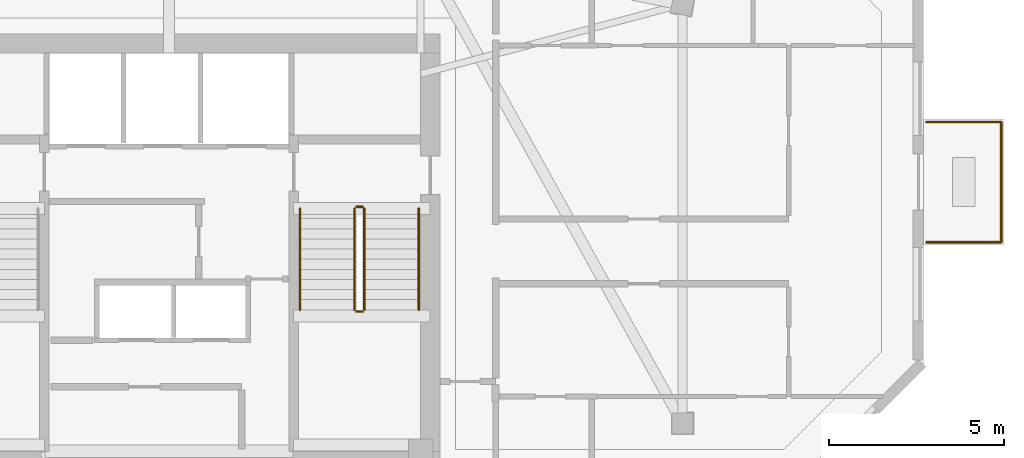
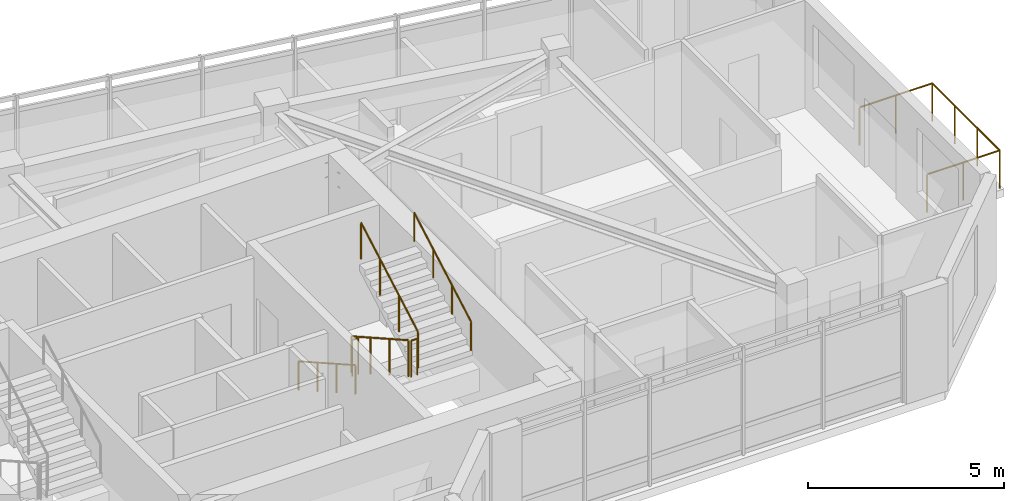
# One storey, part 9 of 9: 9 railings.
"""IFC4 building model written with IfcOpenShell, lengths in metres."""

from ifc_helpers import new_model, si_unit, direction, frame, origin, origin_2d, place, context, subcontext, project, spatial, circle, extrude, material, type_object, element, save


model = new_model("IFC4")

# Units and contexts
model_context = context("Model", 3, precision=1e-05, world=origin(), true_north=direction((0.0, 1.0)))
body_context = subcontext(model_context, "Body", "Model", "MODEL_VIEW")
ifc_project = project(units=[si_unit("LENGTHUNIT", "METRE"), si_unit("AREAUNIT", "SQUARE_METRE"), si_unit("VOLUMEUNIT", "CUBIC_METRE"), si_unit("PLANEANGLEUNIT", "RADIAN"), si_unit("MASSUNIT", "GRAM", prefix="KILO")], contexts=[model_context])

# Site, building, storey
site_placement = place(None, origin())
site = spatial("IfcSite", under=ifc_project, at=site_placement, CompositionType="ELEMENT")
building_placement = place(site_placement, origin())
building = spatial("IfcBuilding", under=site, at=building_placement, Name="Calvemar Wedge Station Tower", CompositionType="ELEMENT")
storey_placement = place(building_placement, frame((0.0, 0.0, 263.699951171875)))
storey = spatial("IfcBuildingStorey", under=building, at=storey_placement, Name="L67", CompositionType="ELEMENT", Elevation=263.699951171875)

# Railings
ifc_material_1 = material(Name="Stainless steel AISI 316L", Category="steel")
railing_type_1 = type_object("IfcRailingType", Name="GRD-TERR-1200", PredefinedType="GUARDRAIL", material=ifc_material_1)
railing_1_placement = place(storey_placement, frame((45.47998046875, 43.6259765625, 0.0)))
element("IfcRailing", 1, at=railing_1_placement, inside=storey, type_object=railing_type_1, Name="Storey L67 Spiral Terrace Guard 2", PredefinedType="GUARDRAIL", context=body_context, shape_type="SweptSolid", body=[
    extrude(circle(Radius=0.02392578125, at=origin_2d()), frame((0.0, 0.0, 1.17578125), z_axis=(1.0, 0.0, 0.0), x_axis=(0.0, 1.0, 0.0)), (0.0, 0.0, 1.0), 2.14013671875),
    extrude(circle(Radius=0.02099609375, at=origin_2d()), origin(), (0.0, 0.0, 1.0), 1.15185546875),
    extrude(circle(Radius=0.02099609375, at=origin_2d()), frame((1.070068359375, 0.0, 0.0)), (0.0, 0.0, 1.0), 1.15185546875),
    extrude(circle(Radius=0.02099609375, at=origin_2d()), frame((2.14013671875, 0.0, 0.0)), (0.0, 0.0, 1.0), 1.15185546875),
])
railing_2_placement = place(storey_placement, frame((47.6201171875, 43.6259765625, 0.0)))
element("IfcRailing", 2, at=railing_2_placement, inside=storey, type_object=railing_type_1, Name="Storey L67 Spiral Terrace Guard 3", PredefinedType="GUARDRAIL", context=body_context, shape_type="SweptSolid", body=[
    extrude(circle(Radius=0.02392578125, at=origin_2d()), frame((0.0, 0.0, 1.17578125), z_axis=(0.0, -1.0, 0.0), x_axis=(1.0, 0.0, 0.0)), (0.0, 0.0, 1.0), 3.43994140625),
    extrude(circle(Radius=0.02099609375, at=origin_2d()), origin(), (0.0, 0.0, 1.0), 1.15185546875),
    extrude(circle(Radius=0.02099609375, at=origin_2d()), frame((0.0, -1.146728515625, 0.0)), (0.0, 0.0, 1.0), 1.15185546875),
    extrude(circle(Radius=0.02099609375, at=origin_2d()), frame((0.0, -2.293212890625, 0.0)), (0.0, 0.0, 1.0), 1.15185546875),
    extrude(circle(Radius=0.02099609375, at=origin_2d()), frame((0.0, -3.43994140625, 0.0)), (0.0, 0.0, 1.0), 1.15185546875),
])
railing_3_placement = place(storey_placement, frame((47.6201171875, 40.18603515625, 0.0)))
element("IfcRailing", 3, at=railing_3_placement, inside=storey, type_object=railing_type_1, Name="Storey L67 Spiral Terrace Guard 4", PredefinedType="GUARDRAIL", context=body_context, shape_type="SweptSolid", body=[
    extrude(circle(Radius=0.02392578125, at=origin_2d()), frame((0.0, 0.0, 1.17578125), z_axis=(-1.0, 0.0, 0.0), x_axis=(0.0, -1.0, 0.0)), (0.0, 0.0, 1.0), 2.14013671875),
    extrude(circle(Radius=0.02099609375, at=origin_2d()), origin(), (0.0, 0.0, 1.0), 1.15185546875),
    extrude(circle(Radius=0.02099609375, at=origin_2d()), frame((-1.070068359375, 0.0, 0.0)), (0.0, 0.0, 1.0), 1.15185546875),
    extrude(circle(Radius=0.02099609375, at=origin_2d()), frame((-2.14013671875, 0.0, 0.0)), (0.0, 0.0, 1.0), 1.15185546875),
])
railing_type_2 = type_object("IfcRailingType", Name="RL-HANDRAIL-920", PredefinedType="HANDRAIL", material=ifc_material_1)
railing_4_placement = place(storey_placement, frame((27.550048828125, 41.14990234375, 0.16357421875)))
element("IfcRailing", 4, at=railing_4_placement, inside=storey, type_object=railing_type_2, Name="L67 ST-C2 stair handrail 1", PredefinedType="HANDRAIL", context=body_context, shape_type="SweptSolid", body=[
    extrude(circle(Radius=0.02392578125, at=origin_2d()), frame((0.0, 0.0, 0.89599609375), z_axis=(0.0, -0.870897200241, 0.491465224214), x_axis=(1.0, 0.0, 0.0)), (0.0, 0.0, 1.0), 3.329833984375),
    extrude(circle(Radius=0.02099609375, at=origin_2d()), origin(), (0.0, 0.0, 1.0), 0.871826171875),
    extrude(circle(Radius=0.02099609375, at=origin_2d()), frame((0.0, -0.966552734375, 0.54541015625)), (0.0, 0.0, 1.0), 0.871826171875),
    extrude(circle(Radius=0.02099609375, at=origin_2d()), frame((0.0, -1.933349609375, 1.091064453125)), (0.0, 0.0, 1.0), 0.871826171875),
    extrude(circle(Radius=0.02099609375, at=origin_2d()), frame((0.0, -2.89990234375, 1.636474609375)), (0.0, 0.0, 1.0), 0.871826171875),
])
railing_5_placement = place(storey_placement, frame((30.949951171875, 38.25, 1.963623046875)))
element("IfcRailing", 5, at=railing_5_placement, inside=storey, type_object=railing_type_2, Name="L67 ST-C2 stair handrail 2", PredefinedType="HANDRAIL", context=body_context, shape_type="SweptSolid", body=[
    extrude(circle(Radius=0.02392578125, at=origin_2d()), frame((0.0, 0.0, 0.89599609375), z_axis=(0.0, 0.870897200241, 0.491465224214), x_axis=(-1.0, 0.0, 0.0)), (0.0, 0.0, 1.0), 3.329833984375),
    extrude(circle(Radius=0.02099609375, at=origin_2d()), origin(), (0.0, 0.0, 1.0), 0.871826171875),
    extrude(circle(Radius=0.02099609375, at=origin_2d()), frame((0.0, 0.966552734375, 0.54541015625)), (0.0, 0.0, 1.0), 0.871826171875),
    extrude(circle(Radius=0.02099609375, at=origin_2d()), frame((0.0, 1.933349609375, 1.091064453125)), (0.0, 0.0, 1.0), 0.871826171875),
    extrude(circle(Radius=0.02099609375, at=origin_2d()), frame((0.0, 2.89990234375, 1.636474609375)), (0.0, 0.0, 1.0), 0.871826171875),
])
ifc_material_2 = material(Name="Painted steel guardrail ASTM A500 Grade C", Category="steel")
railing_type_3 = type_object("IfcRailingType", Name="RL-STAIR-GUARD-1150", PredefinedType="GUARDRAIL", material=ifc_material_2)
railing_6_placement = place(storey_placement, frame((29.110107421875, 41.14990234375, 0.16357421875)))
element("IfcRailing", 6, at=railing_6_placement, inside=storey, type_object=railing_type_3, Name="L67 ST-C2 stair guard 1", PredefinedType="GUARDRAIL", context=body_context, shape_type="SweptSolid", body=[
    extrude(circle(Radius=0.02392578125, at=origin_2d()), frame((0.0, 0.0, 1.1259765625), z_axis=(0.0, -0.870897200241, 0.491465224214), x_axis=(1.0, 0.0, 0.0)), (0.0, 0.0, 1.0), 3.329833984375),
    extrude(circle(Radius=0.02099609375, at=origin_2d()), origin(), (0.0, 0.0, 1.0), 1.101806640625),
    extrude(circle(Radius=0.02099609375, at=origin_2d()), frame((0.0, -0.966552734375, 0.54541015625)), (0.0, 0.0, 1.0), 1.101806640625),
    extrude(circle(Radius=0.02099609375, at=origin_2d()), frame((0.0, -1.933349609375, 1.091064453125)), (0.0, 0.0, 1.0), 1.101806640625),
    extrude(circle(Radius=0.02099609375, at=origin_2d()), frame((0.0, -2.89990234375, 1.636474609375)), (0.0, 0.0, 1.0), 1.101806640625),
])
railing_7_placement = place(storey_placement, frame((29.159912109375, 38.199951171875, 1.800048828125)))
element("IfcRailing", 7, at=railing_7_placement, inside=storey, type_object=railing_type_3, Name="L67 ST-C2 stair guard 2", PredefinedType="GUARDRAIL", context=body_context, shape_type="SweptSolid", body=[
    extrude(circle(Radius=0.02392578125, at=origin_2d()), frame((0.0, 0.0, 1.1259765625), z_axis=(1.0, 0.0, 0.0), x_axis=(0.0, 1.0, 0.0)), (0.0, 0.0, 1.0), 0.18017578125),
    extrude(circle(Radius=0.02099609375, at=origin_2d()), origin(), (0.0, 0.0, 1.0), 1.101806640625),
    extrude(circle(Radius=0.02099609375, at=origin_2d()), frame((0.18017578125, 0.0, 0.0)), (0.0, 0.0, 1.0), 1.101806640625),
])
railing_8_placement = place(storey_placement, frame((29.389892578125, 38.25, 1.963623046875)))
element("IfcRailing", 8, at=railing_8_placement, inside=storey, type_object=railing_type_3, Name="L67 ST-C2 stair guard 3", PredefinedType="GUARDRAIL", context=body_context, shape_type="SweptSolid", body=[
    extrude(circle(Radius=0.02392578125, at=origin_2d()), frame((0.0, 0.0, 1.1259765625), z_axis=(0.0, 0.870897200241, 0.491465224214), x_axis=(-1.0, 0.0, 0.0)), (0.0, 0.0, 1.0), 3.329833984375),
    extrude(circle(Radius=0.02099609375, at=origin_2d()), origin(), (0.0, 0.0, 1.0), 1.101806640625),
    extrude(circle(Radius=0.02099609375, at=origin_2d()), frame((0.0, 0.966552734375, 0.54541015625)), (0.0, 0.0, 1.0), 1.101806640625),
    extrude(circle(Radius=0.02099609375, at=origin_2d()), frame((0.0, 1.933349609375, 1.091064453125)), (0.0, 0.0, 1.0), 1.101806640625),
    extrude(circle(Radius=0.02099609375, at=origin_2d()), frame((0.0, 2.89990234375, 1.636474609375)), (0.0, 0.0, 1.0), 1.101806640625),
])
railing_9_placement = place(storey_placement, frame((29.159912109375, 41.199951171875, 0.0)))
element("IfcRailing", 9, at=railing_9_placement, inside=storey, type_object=railing_type_3, Name="L67 ST-C2 stair guard 4", PredefinedType="GUARDRAIL", context=body_context, shape_type="SweptSolid", body=[
    extrude(circle(Radius=0.02392578125, at=origin_2d()), frame((0.0, 0.0, 1.1259765625), z_axis=(1.0, 0.0, 0.0), x_axis=(0.0, 1.0, 0.0)), (0.0, 0.0, 1.0), 0.18017578125),
    extrude(circle(Radius=0.02099609375, at=origin_2d()), origin(), (0.0, 0.0, 1.0), 1.101806640625),
    extrude(circle(Radius=0.02099609375, at=origin_2d()), frame((0.18017578125, 0.0, 0.0)), (0.0, 0.0, 1.0), 1.101806640625),
])

save(model, "model.ifc")
